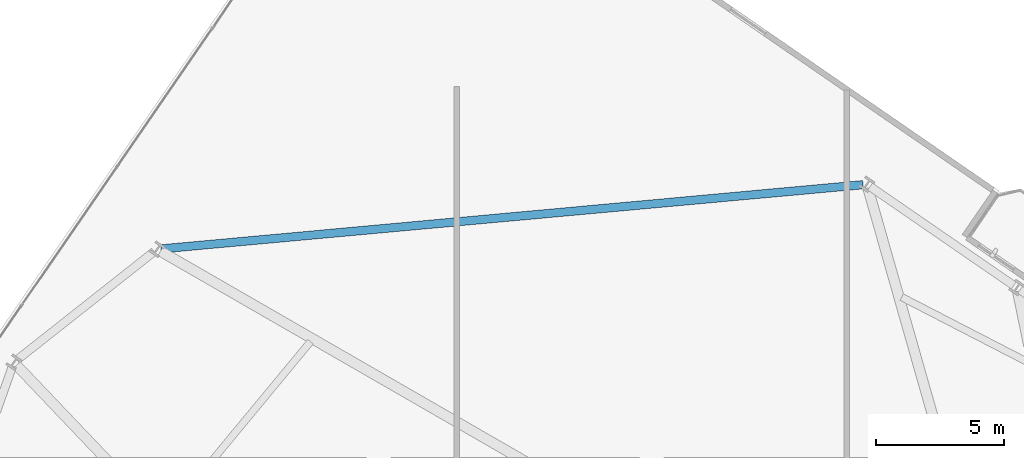
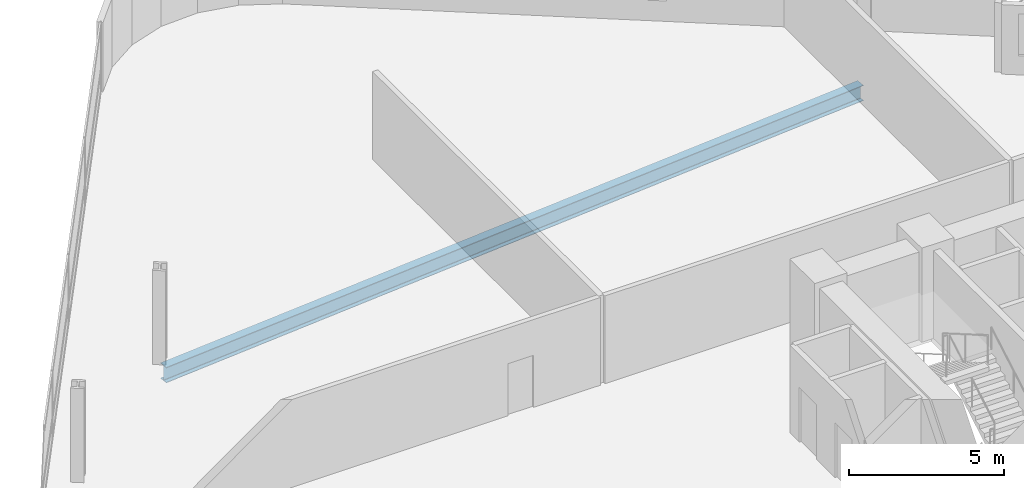
# One storey, part 16 of 26: 1 beam.
"""IFC4 building model written with IfcOpenShell, lengths in metres."""

from ifc_helpers import new_model, si_unit, direction, frame, origin, origin_2d, place, context, subcontext, project, spatial, i_section, extrude, material, material_profile, profile_set, type_object, element, save


model = new_model("IFC4")

# Units and contexts
model_context = context("Model", 3, precision=1e-05, world=origin(), true_north=direction((0.0, 1.0)))
body_context = subcontext(model_context, "Body", "Model", "MODEL_VIEW")
ifc_project = project(units=[si_unit("LENGTHUNIT", "METRE"), si_unit("AREAUNIT", "SQUARE_METRE"), si_unit("VOLUMEUNIT", "CUBIC_METRE"), si_unit("PLANEANGLEUNIT", "RADIAN"), si_unit("MASSUNIT", "GRAM", prefix="KILO")], contexts=[model_context])

# Site, building, storey
site_placement = place(None, origin())
site = spatial("IfcSite", under=ifc_project, at=site_placement, CompositionType="ELEMENT")
building_placement = place(site_placement, origin())
building = spatial("IfcBuilding", under=site, at=building_placement, Name="Varnelok Gate Tower", CompositionType="ELEMENT")
storey_placement = place(building_placement, frame((0.0, 0.0, 45.5)))
storey = spatial("IfcBuildingStorey", under=building, at=storey_placement, Name="L10", CompositionType="ELEMENT", Elevation=45.5)

# Beam
ifc_material = material(Name="Structural Steel ASTM A992 Grade 50", Category="steel")
ifc_material_profile = material_profile(ifc_material, i_section(OverallWidth=0.323974609375, OverallDepth=0.611083984375, WebThickness=0.0126953125, FlangeThickness=0.01904296875, FilletRadius=0.01806640625, at=origin_2d()), Name="W24X104")
ifc_profile_set = profile_set([ifc_material_profile], Name="Structural Steel ASTM A992 Grade 50")
beam_type = type_object("IfcBeamType", Name="BM-SPN-W24X104", PredefinedType="SPANDREL", material=ifc_profile_set)
beam_placement = place(storey_placement, frame((39.8359375, 52.163818359375, -0.555419921875), z_axis=(-0.995845891963, -0.091054705864, 0.0), x_axis=(0.091054705864, -0.995845891963, 0.0)))
element("IfcBeam", 1, at=beam_placement, inside=storey, type_object=beam_type, Name="L10 Perimeter Spandrel Beam 13", PredefinedType="SPANDREL", context=body_context, shape_type="SweptSolid", body=[
    extrude(i_section(OverallWidth=0.323974609375, OverallDepth=0.611083984375, WebThickness=0.0126953125, FlangeThickness=0.01904296875, FilletRadius=0.01806640625, at=origin_2d()), origin(), (0.0, 0.0, 1.0), 27.485595703125),
])

save(model, "model.ifc")
